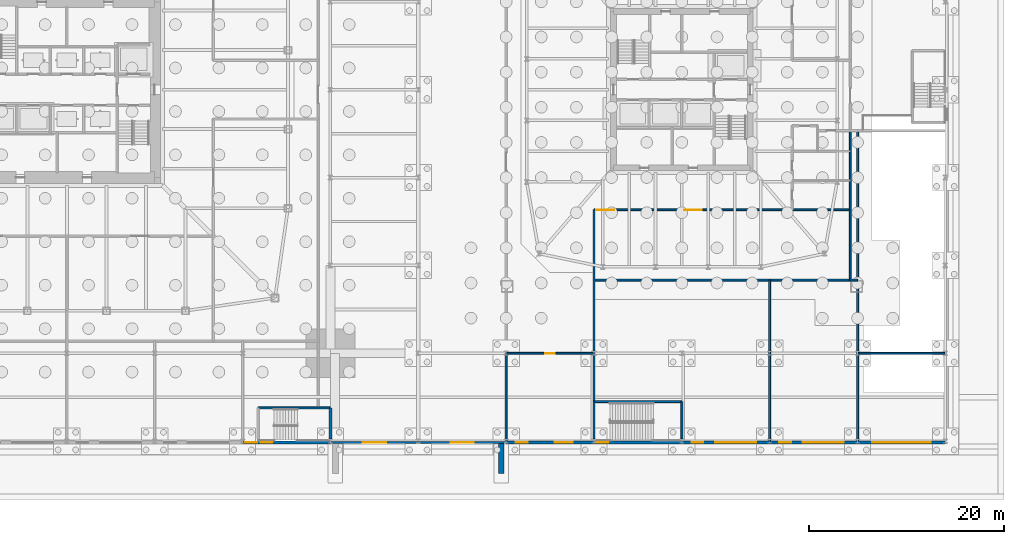
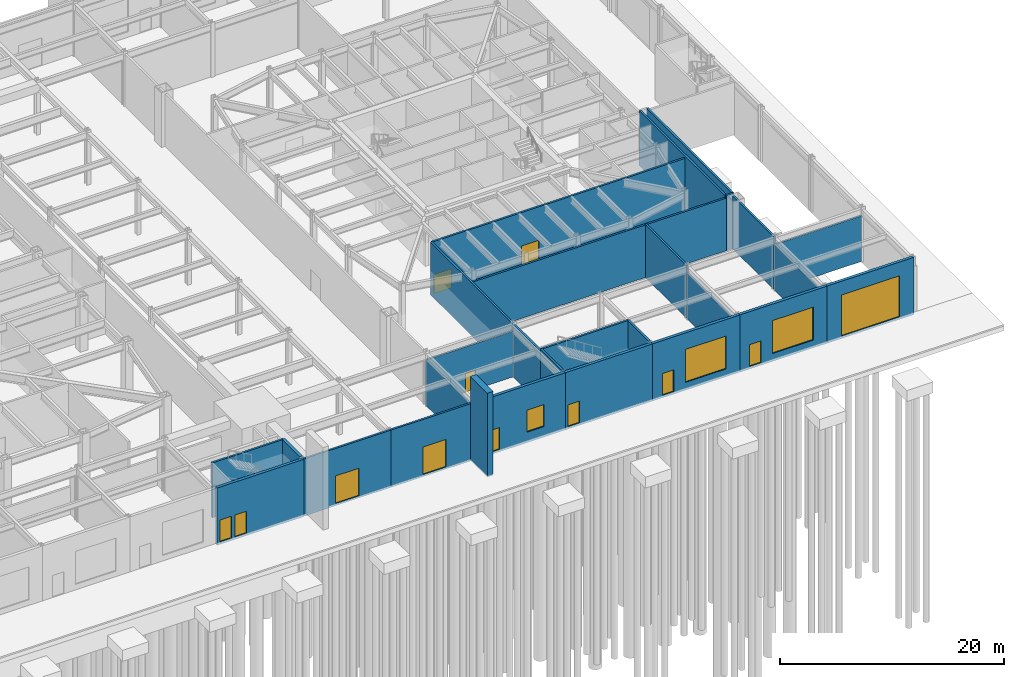
# One storey, part 16 of 37: 27 walls, 12 doors, 3 windows, 15 openings.
"""IFC4 building model written with IfcOpenShell, lengths in metres."""

from ifc_helpers import new_model, si_unit, direction, frame, frame_2d, origin, place, context, subcontext, project, spatial, rectangle, extrude, material, layer, layer_set, type_object, element, fill, save


model = new_model("IFC4")

# Units and contexts
model_context = context("Model", 3, precision=1e-05, world=origin(), true_north=direction((0.0, 1.0)))
body_context = subcontext(model_context, "Body", "Model", "MODEL_VIEW")
ifc_project = project(units=[si_unit("LENGTHUNIT", "METRE"), si_unit("AREAUNIT", "SQUARE_METRE"), si_unit("VOLUMEUNIT", "CUBIC_METRE"), si_unit("PLANEANGLEUNIT", "RADIAN"), si_unit("MASSUNIT", "GRAM", prefix="KILO")], contexts=[model_context])

# Site, building, storey
site_placement = place(None, origin())
site = spatial("IfcSite", under=ifc_project, at=site_placement, CompositionType="ELEMENT")
building_placement = place(site_placement, origin())
building = spatial("IfcBuilding", under=site, at=building_placement, Name="Iwan Alto Co-Living Towers", CompositionType="ELEMENT")
storey_placement = place(building_placement, origin())
storey = spatial("IfcBuildingStorey", under=building, at=storey_placement, Name="L00", CompositionType="ELEMENT", Elevation=0.0)

# Wall, opening, door
ifc_material_1 = material(Name="Bronze aluminium framed glazed screen", Category="aluminium")
ifc_layer_1 = layer(ifc_material_1, 0.199951171875)
ifc_layer_set_1 = layer_set([ifc_layer_1], Name="ENTRANCE SCREEN WALL 200")
wall_type_1 = type_object("IfcWallType", Name="ENTRANCE SCREEN WALL 200", PredefinedType="SOLIDWALL", material=ifc_layer_set_1)
wall_1_placement = place(storey_placement, frame((27.0, -36.14990234375, -0.25), z_axis=(0.0, 0.0, 1.0), x_axis=(1.0, 0.0, 0.0)))
wall_1 = element("IfcWall", 1, at=wall_1_placement, inside=storey, type_object=wall_type_1, Name="Concourse entrance screen S", PredefinedType="SOLIDWALL", context=body_context, shape_type="SweptSolid", body=[
    extrude(rectangle(XDim=9.0, YDim=0.199951171875, at=frame_2d((4.5, 0.0))), origin(), (0.0, 0.0, 1.0), 6.25),
])
opening_1_placement = place(wall_1_placement, frame((3.300048828125, 0.0, 0.25)))
opening_1 = element("IfcOpeningElement", 2, at=opening_1_placement, cuts=wall_1, Name="Opening DE2", PredefinedType="OPENING", context=body_context, shape_type="SweptSolid", body=[
    extrude(rectangle(XDim=2.39990234375, YDim=3.0, at=frame_2d((1.199951171875, 1.5))), frame((0.0, 0.10986328125, 0.0), z_axis=(0.0, -1.0, 0.0), x_axis=(1.0, 0.0, 0.0)), (0.0, 0.0, 1.0), 0.219970703125),
])
ifc_material_2 = material(Name="Bronze aluminium glazed door", Category="aluminium")
door_type_1 = type_object("IfcDoorType", Name="ENTRANCE DOOR 2400X3000", OperationType="DOUBLE_DOOR_SINGLE_SWING", PredefinedType="DOOR", material=ifc_material_2)
door_1_placement = place(opening_1_placement, frame((2.39990234375, 0.0, 0.0), z_axis=(0.0, 0.0, 1.0), x_axis=(-1.0, 0.0, 0.0)))
door_1 = element("IfcDoor", 3, at=door_1_placement, inside=storey, type_object=door_type_1, Name="Concourse entrance S", OperationType="DOUBLE_DOOR_SINGLE_SWING", OverallHeight=3.0, OverallWidth=2.39990234375, PredefinedType="DOOR", context=body_context, shape_type="SweptSolid", body=[
    extrude(rectangle(XDim=2.39990234375, YDim=3.0, at=frame_2d((1.199951171875, 1.5))), frame((0.0, 0.02490234375, 0.0), z_axis=(0.0, -1.0, 0.0), x_axis=(1.0, 0.0, 0.0)), (0.0, 0.0, 1.0), 0.050048828125),
])
fill(opening_1, door_1)

wall_2_placement = place(storey_placement, frame((36.0, -36.14990234375, -0.25), z_axis=(0.0, 0.0, 1.0), x_axis=(1.0, 0.0, 0.0)))
wall_2 = element("IfcWall", 4, at=wall_2_placement, inside=storey, type_object=wall_type_1, Name="Concourse entrance screen S", PredefinedType="SOLIDWALL", context=body_context, shape_type="SweptSolid", body=[
    extrude(rectangle(XDim=9.0, YDim=0.199951171875, at=frame_2d((4.5, 0.0))), origin(), (0.0, 0.0, 1.0), 6.25),
])
opening_2_placement = place(wall_2_placement, frame((3.300048828125, 0.0, 0.25)))
opening_2 = element("IfcOpeningElement", 5, at=opening_2_placement, cuts=wall_2, Name="Opening DE2", PredefinedType="OPENING", context=body_context, shape_type="SweptSolid", body=[
    extrude(rectangle(XDim=2.39990234375, YDim=3.0, at=frame_2d((1.199951171875, 1.5))), frame((0.0, 0.10986328125, 0.0), z_axis=(0.0, -1.0, 0.0), x_axis=(1.0, 0.0, 0.0)), (0.0, 0.0, 1.0), 0.219970703125),
])
door_2_placement = place(opening_2_placement, frame((2.39990234375, 0.0, 0.0), z_axis=(0.0, 0.0, 1.0), x_axis=(-1.0, 0.0, 0.0)))
door_2 = element("IfcDoor", 6, at=door_2_placement, inside=storey, type_object=door_type_1, Name="Concourse entrance S", OperationType="DOUBLE_DOOR_SINGLE_SWING", OverallHeight=3.0, OverallWidth=2.39990234375, PredefinedType="DOOR", context=body_context, shape_type="SweptSolid", body=[
    extrude(rectangle(XDim=2.39990234375, YDim=3.0, at=frame_2d((1.199951171875, 1.5))), frame((0.0, 0.02490234375, 0.0), z_axis=(0.0, -1.0, 0.0), x_axis=(1.0, 0.0, 0.0)), (0.0, 0.0, 1.0), 0.050048828125),
])
fill(opening_2, door_2)

# Wall
ifc_material_3 = material(Name="Fired clay brick facing", Category="masonry")
ifc_layer_2 = layer(ifc_material_3, 0.114990234375, Name="Brick facing", Category="Finish")
ifc_material_4 = material(Name="Concrete f'c 35 MPa", Category="concrete")
ifc_layer_3 = layer(ifc_material_4, 0.485107421875, Name="Reinforced concrete", Category="LoadBearing")
ifc_layer_set_2 = layer_set([ifc_layer_2, ifc_layer_3], Name="IWAN PORTAL WALL 600")
wall_type_2 = type_object("IfcWallType", Name="IWAN PORTAL WALL 600", PredefinedType="SOLIDWALL", material=ifc_layer_set_2)
wall_3_placement = place(storey_placement, frame((44.494384765625, -36.25, -0.14990234375), z_axis=(0.0, 0.0, 1.0), x_axis=(0.0, -1.0, 0.0)))
element("IfcWall", 7, at=wall_3_placement, inside=storey, type_object=wall_type_2, Name="Iwan portal pier S 2", PredefinedType="SOLIDWALL", context=body_context, shape_type="SweptSolid", body=[
    extrude(rectangle(XDim=3.050048828125, YDim=0.60009765625, at=frame_2d((1.52490234375, 0.0))), origin(), (0.0, 0.0, 1.0), 9.14990234375),
])

# Wall, openings, doors
ifc_layer_4 = layer(ifc_material_3, 0.10009765625, Name="Brick facing", Category="Finish")
ifc_material_5 = material(Name="Concrete f'c 70 MPa", Category="concrete")
ifc_layer_5 = layer(ifc_material_5, 0.199951171875, Name="Reinforced concrete", Category="LoadBearing")
ifc_layer_set_3 = layer_set([ifc_layer_4, ifc_layer_5], Name="PODIUM BRICK WALL 300")
wall_type_3 = type_object("IfcWallType", Name="PODIUM BRICK WALL 300", PredefinedType="SOLIDWALL", material=ifc_layer_set_3)
wall_4_placement = place(storey_placement, frame((18.0, -36.14990234375, -0.25), z_axis=(0.0, 0.0, 1.0), x_axis=(1.0, 0.0, 0.0)))
wall_4 = element("IfcWall", 8, at=wall_4_placement, inside=storey, type_object=wall_type_3, Name="Podium wall S L00", PredefinedType="SOLIDWALL", context=body_context, shape_type="SweptSolid", body=[
    extrude(rectangle(XDim=9.0, YDim=0.300048828125, at=frame_2d((4.5, 0.0))), origin(), (0.0, 0.0, 1.0), 6.25),
])
opening_3_placement = place(wall_4_placement, frame((0.300048828125, 0.0, 0.25)))
opening_3 = element("IfcOpeningElement", 9, at=opening_3_placement, cuts=wall_4, Name="Opening DE1", PredefinedType="OPENING", context=body_context, shape_type="SweptSolid", body=[
    extrude(rectangle(XDim=1.199951171875, YDim=2.39990234375, at=frame_2d((0.60009765625, 1.199951171875))), frame((0.0, 0.159912109375, 0.0), z_axis=(0.0, -1.0, 0.0), x_axis=(1.0, 0.0, 0.0)), (0.0, 0.0, 1.0), 0.320068359375),
])
opening_4_placement = place(wall_4_placement, frame((1.85009765625, 0.0, 0.25)))
opening_4 = element("IfcOpeningElement", 10, at=opening_4_placement, cuts=wall_4, Name="Opening DE3", PredefinedType="OPENING", context=body_context, shape_type="SweptSolid", body=[
    extrude(rectangle(XDim=1.199951171875, YDim=2.39990234375, at=frame_2d((0.60009765625, 1.199951171875))), frame((0.0, 0.159912109375, 0.0), z_axis=(0.0, -1.0, 0.0), x_axis=(1.0, 0.0, 0.0)), (0.0, 0.0, 1.0), 0.320068359375),
])
ifc_material_6 = material(Name="Steel door", Category="steel")
door_type_2 = type_object("IfcDoorType", Name="EXIT DOOR FD60 1200X2400", OperationType="SINGLE_SWING_LEFT", PredefinedType="DOOR", material=ifc_material_6)
door_3_placement = place(opening_4_placement, frame((1.199951171875, 0.0, 0.0), z_axis=(0.0, 0.0, 1.0), x_axis=(-1.0, 0.0, 0.0)))
door_3 = element("IfcDoor", 11, at=door_3_placement, inside=storey, type_object=door_type_2, Name="Stair PS4 exit door", OperationType="SINGLE_SWING_RIGHT", OverallHeight=2.39990234375, OverallWidth=1.199951171875, PredefinedType="DOOR", context=body_context, shape_type="SweptSolid", body=[
    extrude(rectangle(XDim=1.199951171875, YDim=2.39990234375, at=frame_2d((0.60009765625, 1.199951171875))), frame((0.0, 0.02490234375, 0.0), z_axis=(0.0, -1.0, 0.0), x_axis=(1.0, 0.0, 0.0)), (0.0, 0.0, 1.0), 0.050048828125),
])
fill(opening_4, door_3)
ifc_material_7 = material(Name="Bronze aluminium glazed door", Category="aluminium")
door_type_3 = type_object("IfcDoorType", Name="SHOP DOOR 1200X2400", OperationType="SINGLE_SWING_LEFT", PredefinedType="DOOR", material=ifc_material_7)
door_4_placement = place(opening_3_placement, frame((1.199951171875, 0.0, 0.0), z_axis=(0.0, 0.0, 1.0), x_axis=(-1.0, 0.0, 0.0)))
door_4 = element("IfcDoor", 12, at=door_4_placement, inside=storey, type_object=door_type_3, Name="Shop door", OperationType="SINGLE_SWING_RIGHT", OverallHeight=2.39990234375, OverallWidth=1.199951171875, PredefinedType="DOOR", context=body_context, shape_type="SweptSolid", body=[
    extrude(rectangle(XDim=1.199951171875, YDim=2.39990234375, at=frame_2d((0.60009765625, 1.199951171875))), frame((0.0, 0.02490234375, 0.0), z_axis=(0.0, -1.0, 0.0), x_axis=(1.0, 0.0, 0.0)), (0.0, 0.0, 1.0), 0.050048828125),
])
fill(opening_3, door_4)

# Wall, openings, door, window
wall_5_placement = place(storey_placement, frame((45.0, -36.14990234375, -0.25), z_axis=(0.0, 0.0, 1.0), x_axis=(1.0, 0.0, 0.0)))
wall_5 = element("IfcWall", 13, at=wall_5_placement, inside=storey, type_object=wall_type_3, Name="Podium wall S L00", PredefinedType="SOLIDWALL", context=body_context, shape_type="SweptSolid", body=[
    extrude(rectangle(XDim=9.0, YDim=0.300048828125, at=frame_2d((4.5, 0.0))), origin(), (0.0, 0.0, 1.0), 6.25),
])
opening_5_placement = place(wall_5_placement, frame((1.0, 0.0, 0.25)))
opening_5 = element("IfcOpeningElement", 14, at=opening_5_placement, cuts=wall_5, Name="Opening DE3", PredefinedType="OPENING", context=body_context, shape_type="SweptSolid", body=[
    extrude(rectangle(XDim=1.199951171875, YDim=2.39990234375, at=frame_2d((0.60009765625, 1.199951171875))), frame((0.0, 0.159912109375, 0.0), z_axis=(0.0, -1.0, 0.0), x_axis=(1.0, 0.0, 0.0)), (0.0, 0.0, 1.0), 0.320068359375),
])
opening_6_placement = place(wall_5_placement, frame((5.0, 0.0, 1.14990234375)))
opening_6 = element("IfcOpeningElement", 15, at=opening_6_placement, cuts=wall_5, Name="Opening WN1", PredefinedType="OPENING", context=body_context, shape_type="SweptSolid", body=[
    extrude(rectangle(XDim=1.800048828125, YDim=2.39990234375, at=frame_2d((0.89990234375, 1.199951171875))), frame((0.0, 0.159912109375, 0.0), z_axis=(0.0, -1.0, 0.0), x_axis=(1.0, 0.0, 0.0)), (0.0, 0.0, 1.0), 0.320068359375),
])
door_5_placement = place(opening_5_placement, frame((1.199951171875, 0.0, 0.0), z_axis=(0.0, 0.0, 1.0), x_axis=(-1.0, 0.0, 0.0)))
door_5 = element("IfcDoor", 16, at=door_5_placement, inside=storey, type_object=door_type_2, Name="Fire command centre door", OperationType="SINGLE_SWING_RIGHT", OverallHeight=2.39990234375, OverallWidth=1.199951171875, PredefinedType="DOOR", context=body_context, shape_type="SweptSolid", body=[
    extrude(rectangle(XDim=1.199951171875, YDim=2.39990234375, at=frame_2d((0.60009765625, 1.199951171875))), frame((0.0, 0.02490234375, 0.0), z_axis=(0.0, -1.0, 0.0), x_axis=(1.0, 0.0, 0.0)), (0.0, 0.0, 1.0), 0.050048828125),
])
fill(opening_5, door_5)
ifc_material_8 = material(Name="Bronze aluminium window frame", Category="aluminium")
window_type_1 = type_object("IfcWindowType", Name="WN1 PODIUM WINDOW 1800X2400", PartitioningType="SINGLE_PANEL", PredefinedType="WINDOW", material=ifc_material_8)
window_1_placement = place(opening_6_placement, origin())
window_1 = element("IfcWindow", 17, at=window_1_placement, inside=storey, type_object=window_type_1, Name="Podium window", OverallHeight=2.39990234375, OverallWidth=1.800048828125, PartitioningType="SINGLE_PANEL", PredefinedType="WINDOW", context=body_context, shape_type="SweptSolid", body=[
    extrude(rectangle(XDim=1.800048828125, YDim=2.39990234375, at=frame_2d((0.89990234375, 1.199951171875))), frame((0.0, 0.030029296875, 0.0), z_axis=(0.0, -1.0, 0.0), x_axis=(1.0, 0.0, 0.0)), (0.0, 0.0, 1.0), 0.06005859375),
])
fill(opening_6, window_1)

# Wall, opening, door
wall_6_placement = place(storey_placement, frame((54.0, -36.14990234375, -0.25), z_axis=(0.0, 0.0, 1.0), x_axis=(1.0, 0.0, 0.0)))
wall_6 = element("IfcWall", 18, at=wall_6_placement, inside=storey, type_object=wall_type_3, Name="Podium wall S L00", PredefinedType="SOLIDWALL", context=body_context, shape_type="SweptSolid", body=[
    extrude(rectangle(XDim=9.0, YDim=0.300048828125, at=frame_2d((4.5, 0.0))), origin(), (0.0, 0.0, 1.0), 6.25),
])
opening_7_placement = place(wall_6_placement, frame((0.25, 0.0, 0.25)))
opening_7 = element("IfcOpeningElement", 19, at=opening_7_placement, cuts=wall_6, Name="Opening DE3", PredefinedType="OPENING", context=body_context, shape_type="SweptSolid", body=[
    extrude(rectangle(XDim=1.199951171875, YDim=2.39990234375, at=frame_2d((0.60009765625, 1.199951171875))), frame((0.0, 0.159912109375, 0.0), z_axis=(0.0, -1.0, 0.0), x_axis=(1.0, 0.0, 0.0)), (0.0, 0.0, 1.0), 0.320068359375),
])
door_6_placement = place(opening_7_placement, frame((1.199951171875, 0.0, 0.0), z_axis=(0.0, 0.0, 1.0), x_axis=(-1.0, 0.0, 0.0)))
door_6 = element("IfcDoor", 20, at=door_6_placement, inside=storey, type_object=door_type_2, Name="Stair PS6 exit door", OperationType="SINGLE_SWING_RIGHT", OverallHeight=2.39990234375, OverallWidth=1.199951171875, PredefinedType="DOOR", context=body_context, shape_type="SweptSolid", body=[
    extrude(rectangle(XDim=1.199951171875, YDim=2.39990234375, at=frame_2d((0.60009765625, 1.199951171875))), frame((0.0, 0.02490234375, 0.0), z_axis=(0.0, -1.0, 0.0), x_axis=(1.0, 0.0, 0.0)), (0.0, 0.0, 1.0), 0.050048828125),
])
fill(opening_7, door_6)

# Wall, openings, door, window
wall_7_placement = place(storey_placement, frame((63.0, -36.14990234375, -0.25), z_axis=(0.0, 0.0, 1.0), x_axis=(1.0, 0.0, 0.0)))
wall_7 = element("IfcWall", 21, at=wall_7_placement, inside=storey, type_object=wall_type_3, Name="Podium wall S L00", PredefinedType="SOLIDWALL", context=body_context, shape_type="SweptSolid", body=[
    extrude(rectangle(XDim=9.0, YDim=0.300048828125, at=frame_2d((4.5, 0.0))), origin(), (0.0, 0.0, 1.0), 6.25),
])
opening_8_placement = place(wall_7_placement, frame((1.0, 0.0, 0.25)))
opening_8 = element("IfcOpeningElement", 22, at=opening_8_placement, cuts=wall_7, Name="Opening DE1", PredefinedType="OPENING", context=body_context, shape_type="SweptSolid", body=[
    extrude(rectangle(XDim=1.199951171875, YDim=2.39990234375, at=frame_2d((0.60009765625, 1.199951171875))), frame((0.0, 0.159912109375, 0.0), z_axis=(0.0, -1.0, 0.0), x_axis=(1.0, 0.0, 0.0)), (0.0, 0.0, 1.0), 0.320068359375),
])
opening_9_placement = place(wall_7_placement, frame((3.39990234375, 0.0, 0.85009765625)))
opening_9 = element("IfcOpeningElement", 23, at=opening_9_placement, cuts=wall_7, Name="Opening WN2", PredefinedType="OPENING", context=body_context, shape_type="SweptSolid", body=[
    extrude(rectangle(XDim=4.199951171875, YDim=3.60009765625, at=frame_2d((2.10009765625, 1.800048828125))), frame((0.0, 0.159912109375, 0.0), z_axis=(0.0, -1.0, 0.0), x_axis=(1.0, 0.0, 0.0)), (0.0, 0.0, 1.0), 0.320068359375),
])
door_7_placement = place(opening_8_placement, frame((1.199951171875, 0.0, 0.0), z_axis=(0.0, 0.0, 1.0), x_axis=(-1.0, 0.0, 0.0)))
door_7 = element("IfcDoor", 24, at=door_7_placement, inside=storey, type_object=door_type_3, Name="Shop door", OperationType="SINGLE_SWING_RIGHT", OverallHeight=2.39990234375, OverallWidth=1.199951171875, PredefinedType="DOOR", context=body_context, shape_type="SweptSolid", body=[
    extrude(rectangle(XDim=1.199951171875, YDim=2.39990234375, at=frame_2d((0.60009765625, 1.199951171875))), frame((0.0, 0.02490234375, 0.0), z_axis=(0.0, -1.0, 0.0), x_axis=(1.0, 0.0, 0.0)), (0.0, 0.0, 1.0), 0.050048828125),
])
fill(opening_8, door_7)
ifc_material_9 = material(Name="Bronze aluminium shopfront frame", Category="aluminium")
window_type_2 = type_object("IfcWindowType", Name="WN2 SHOPFRONT 4200X3600", PartitioningType="SINGLE_PANEL", PredefinedType="WINDOW", material=ifc_material_9)
window_2_placement = place(opening_9_placement, origin())
window_2 = element("IfcWindow", 25, at=window_2_placement, inside=storey, type_object=window_type_2, Name="Shopfront", OverallHeight=3.60009765625, OverallWidth=4.199951171875, PartitioningType="SINGLE_PANEL", PredefinedType="WINDOW", context=body_context, shape_type="SweptSolid", body=[
    extrude(rectangle(XDim=4.199951171875, YDim=3.60009765625, at=frame_2d((2.10009765625, 1.800048828125))), frame((0.0, 0.030029296875, 0.0), z_axis=(0.0, -1.0, 0.0), x_axis=(1.0, 0.0, 0.0)), (0.0, 0.0, 1.0), 0.06005859375),
])
fill(opening_9, window_2)

wall_8_placement = place(storey_placement, frame((72.0, -36.14990234375, -0.25), z_axis=(0.0, 0.0, 1.0), x_axis=(1.0, 0.0, 0.0)))
wall_8 = element("IfcWall", 26, at=wall_8_placement, inside=storey, type_object=wall_type_3, Name="Podium wall S L00", PredefinedType="SOLIDWALL", context=body_context, shape_type="SweptSolid", body=[
    extrude(rectangle(XDim=9.0, YDim=0.300048828125, at=frame_2d((4.5, 0.0))), origin(), (0.0, 0.0, 1.0), 6.25),
])
opening_10_placement = place(wall_8_placement, frame((1.0, 0.0, 0.25)))
opening_10 = element("IfcOpeningElement", 27, at=opening_10_placement, cuts=wall_8, Name="Opening DE1", PredefinedType="OPENING", context=body_context, shape_type="SweptSolid", body=[
    extrude(rectangle(XDim=1.199951171875, YDim=2.39990234375, at=frame_2d((0.60009765625, 1.199951171875))), frame((0.0, 0.159912109375, 0.0), z_axis=(0.0, -1.0, 0.0), x_axis=(1.0, 0.0, 0.0)), (0.0, 0.0, 1.0), 0.320068359375),
])
opening_11_placement = place(wall_8_placement, frame((3.39990234375, 0.0, 0.85009765625)))
opening_11 = element("IfcOpeningElement", 28, at=opening_11_placement, cuts=wall_8, Name="Opening WN2", PredefinedType="OPENING", context=body_context, shape_type="SweptSolid", body=[
    extrude(rectangle(XDim=4.199951171875, YDim=3.60009765625, at=frame_2d((2.10009765625, 1.800048828125))), frame((0.0, 0.159912109375, 0.0), z_axis=(0.0, -1.0, 0.0), x_axis=(1.0, 0.0, 0.0)), (0.0, 0.0, 1.0), 0.320068359375),
])
door_8_placement = place(opening_10_placement, frame((1.199951171875, 0.0, 0.0), z_axis=(0.0, 0.0, 1.0), x_axis=(-1.0, 0.0, 0.0)))
door_8 = element("IfcDoor", 29, at=door_8_placement, inside=storey, type_object=door_type_3, Name="Shop door", OperationType="SINGLE_SWING_RIGHT", OverallHeight=2.39990234375, OverallWidth=1.199951171875, PredefinedType="DOOR", context=body_context, shape_type="SweptSolid", body=[
    extrude(rectangle(XDim=1.199951171875, YDim=2.39990234375, at=frame_2d((0.60009765625, 1.199951171875))), frame((0.0, 0.02490234375, 0.0), z_axis=(0.0, -1.0, 0.0), x_axis=(1.0, 0.0, 0.0)), (0.0, 0.0, 1.0), 0.050048828125),
])
fill(opening_10, door_8)
window_3_placement = place(opening_11_placement, origin())
window_3 = element("IfcWindow", 30, at=window_3_placement, inside=storey, type_object=window_type_2, Name="Shopfront", OverallHeight=3.60009765625, OverallWidth=4.199951171875, PartitioningType="SINGLE_PANEL", PredefinedType="WINDOW", context=body_context, shape_type="SweptSolid", body=[
    extrude(rectangle(XDim=4.199951171875, YDim=3.60009765625, at=frame_2d((2.10009765625, 1.800048828125))), frame((0.0, 0.030029296875, 0.0), z_axis=(0.0, -1.0, 0.0), x_axis=(1.0, 0.0, 0.0)), (0.0, 0.0, 1.0), 0.06005859375),
])
fill(opening_11, window_3)

# Wall, opening, door
wall_9_placement = place(storey_placement, frame((81.0, -36.14990234375, -0.25), z_axis=(0.0, 0.0, 1.0), x_axis=(1.0, 0.0, 0.0)))
wall_9 = element("IfcWall", 31, at=wall_9_placement, inside=storey, type_object=wall_type_3, Name="Podium wall S L00", PredefinedType="SOLIDWALL", context=body_context, shape_type="SweptSolid", body=[
    extrude(rectangle(XDim=9.0, YDim=0.300048828125, at=frame_2d((4.5, 0.0))), origin(), (0.0, 0.0, 1.0), 6.25),
])
opening_12_placement = place(wall_9_placement, frame((1.5, 0.0, 0.25)))
opening_12 = element("IfcOpeningElement", 32, at=opening_12_placement, cuts=wall_9, Name="Opening DE4", PredefinedType="OPENING", context=body_context, shape_type="SweptSolid", body=[
    extrude(rectangle(XDim=6.0, YDim=4.5, at=frame_2d((3.0, 2.25))), frame((0.0, 0.159912109375, 0.0), z_axis=(0.0, -1.0, 0.0), x_axis=(1.0, 0.0, 0.0)), (0.0, 0.0, 1.0), 0.320068359375),
])
ifc_material_10 = material(Name="Steel roller shutter", Category="steel")
door_type_4 = type_object("IfcDoorType", Name="ROLLER SHUTTER 6000X4500", OperationType="USERDEFINED", PredefinedType="GATE", material=ifc_material_10)
door_9_placement = place(opening_12_placement, origin())
door_9 = element("IfcDoor", 33, at=door_9_placement, inside=storey, type_object=door_type_4, Name="Car park entrance shutter", OperationType="USERDEFINED", OverallHeight=4.5, OverallWidth=6.0, PredefinedType="GATE", context=body_context, shape_type="SweptSolid", body=[
    extrude(rectangle(XDim=6.0, YDim=4.5, at=frame_2d((3.0, 2.25))), frame((0.0, 0.02490234375, 0.0), z_axis=(0.0, -1.0, 0.0), x_axis=(1.0, 0.0, 0.0)), (0.0, 0.0, 1.0), 0.050048828125),
])
fill(opening_12, door_9)

ifc_material_11 = material(Name="Concrete block masonry f*p 10 MPa", Category="masonry")
ifc_layer_6 = layer(ifc_material_11, 0.199951171875)
ifc_layer_set_4 = layer_set([ifc_layer_6], Name="PODIUM INTERNAL WALL 200")
wall_type_4 = type_object("IfcWallType", Name="PODIUM INTERNAL WALL 200", PredefinedType="SOLIDWALL", material=ifc_layer_set_4)
wall_10_placement = place(storey_placement, frame((45.0, -27.0, 0.0), z_axis=(0.0, 0.0, 1.0), x_axis=(1.0, 0.0, 0.0)))
wall_10 = element("IfcWall", 34, at=wall_10_placement, inside=storey, type_object=wall_type_4, Name="Partition L00", PredefinedType="SOLIDWALL", context=body_context, shape_type="SweptSolid", body=[
    extrude(rectangle(XDim=9.0, YDim=0.199951171875, at=frame_2d((4.5, 0.0))), origin(), (0.0, 0.0, 1.0), 4.98046875),
])
opening_13_placement = place(wall_10_placement, frame((4.0, 0.0, 0.0)))
opening_13 = element("IfcOpeningElement", 35, at=opening_13_placement, cuts=wall_10, Name="Opening D12", PredefinedType="OPENING", context=body_context, shape_type="SweptSolid", body=[
    extrude(rectangle(XDim=1.0, YDim=2.10009765625, at=frame_2d((0.5, 1.050048828125))), frame((0.0, 0.10986328125, 0.0), z_axis=(0.0, -1.0, 0.0), x_axis=(1.0, 0.0, 0.0)), (0.0, 0.0, 1.0), 0.219970703125),
])
ifc_material_12 = material(Name="Steel frame with timber leaf", Category="steel")
door_type_5 = type_object("IfcDoorType", Name="FIRE COMMAND CENTRE DOOR FD60 1000X2100", OperationType="SINGLE_SWING_LEFT", PredefinedType="DOOR", material=ifc_material_12)
door_10_placement = place(opening_13_placement, frame((1.0, 0.0, 0.0), z_axis=(0.0, 0.0, 1.0), x_axis=(-1.0, 0.0, 0.0)))
door_10 = element("IfcDoor", 36, at=door_10_placement, inside=storey, type_object=door_type_5, Name="Fire command centre door L00", OperationType="SINGLE_SWING_RIGHT", OverallHeight=2.10009765625, OverallWidth=1.0, PredefinedType="DOOR", context=body_context, shape_type="SweptSolid", body=[
    extrude(rectangle(XDim=1.0, YDim=2.10009765625, at=frame_2d((0.5, 1.050048828125))), frame((0.0, 0.02490234375, 0.0), z_axis=(0.0, -1.0, 0.0), x_axis=(1.0, 0.0, 0.0)), (0.0, 0.0, 1.0), 0.050048828125),
])
fill(opening_13, door_10)

# Walls
wall_11_placement = place(storey_placement, frame((81.0, -27.0, 0.0), z_axis=(0.0, 0.0, 1.0), x_axis=(1.0, 0.0, 0.0)))
element("IfcWall", 37, at=wall_11_placement, inside=storey, type_object=wall_type_4, Name="Partition L00", PredefinedType="SOLIDWALL", context=body_context, shape_type="SweptSolid", body=[
    extrude(rectangle(XDim=8.93994140625, YDim=0.199951171875, at=frame_2d((4.469970703125, 0.0))), origin(), (0.0, 0.0, 1.0), 4.98046875),
])
wall_12_placement = place(storey_placement, frame((54.0, -19.5, 0.0), z_axis=(0.0, 0.0, 1.0), x_axis=(1.0, 0.0, 0.0)))
element("IfcWall", 38, at=wall_12_placement, inside=storey, type_object=wall_type_4, Name="Partition L00", PredefinedType="SOLIDWALL", context=body_context, shape_type="SweptSolid", body=[
    extrude(rectangle(XDim=26.25, YDim=0.199951171875, at=frame_2d((13.125, 0.0))), origin(), (0.0, 0.0, 1.0), 5.75),
])

# Wall, openings, doors
wall_13_placement = place(storey_placement, frame((54.0, -12.300048828125, 0.0), z_axis=(0.0, 0.0, 1.0), x_axis=(1.0, 0.0, 0.0)))
wall_13 = element("IfcWall", 39, at=wall_13_placement, inside=storey, type_object=wall_type_4, Name="Partition L00", PredefinedType="SOLIDWALL", context=body_context, shape_type="SweptSolid", body=[
    extrude(rectangle(XDim=26.25, YDim=0.199951171875, at=frame_2d((13.125, 0.0))), origin(), (0.0, 0.0, 1.0), 5.75),
])
opening_14_placement = place(wall_13_placement, frame((9.25, 0.0, 0.0)))
opening_14 = element("IfcOpeningElement", 40, at=opening_14_placement, cuts=wall_13, Name="Opening D9", PredefinedType="OPENING", context=body_context, shape_type="SweptSolid", body=[
    extrude(rectangle(XDim=1.800048828125, YDim=2.10009765625, at=frame_2d((0.89990234375, 1.050048828125))), frame((0.0, 0.10986328125, 0.0), z_axis=(0.0, -1.0, 0.0), x_axis=(1.0, 0.0, 0.0)), (0.0, 0.0, 1.0), 0.219970703125),
])
opening_15_placement = place(wall_13_placement, frame((0.25, 0.0, 0.0)))
opening_15 = element("IfcOpeningElement", 41, at=opening_15_placement, cuts=wall_13, Name="Opening D9", PredefinedType="OPENING", context=body_context, shape_type="SweptSolid", body=[
    extrude(rectangle(XDim=1.800048828125, YDim=2.10009765625, at=frame_2d((0.89990234375, 1.050048828125))), frame((0.0, 0.10986328125, 0.0), z_axis=(0.0, -1.0, 0.0), x_axis=(1.0, 0.0, 0.0)), (0.0, 0.0, 1.0), 0.219970703125),
])
ifc_material_13 = material(Name="Steel frame with timber leaf", Category="steel")
door_type_6 = type_object("IfcDoorType", Name="LOUNGE DOOR FD30S 1800X2100", OperationType="DOUBLE_DOOR_SINGLE_SWING", PredefinedType="DOOR", material=ifc_material_13)
door_11_placement = place(opening_14_placement, frame((1.800048828125, 0.0, 0.0), z_axis=(0.0, 0.0, 1.0), x_axis=(-1.0, 0.0, 0.0)))
door_11 = element("IfcDoor", 42, at=door_11_placement, inside=storey, type_object=door_type_6, Name="Function hall door L00", OperationType="DOUBLE_DOOR_SINGLE_SWING", OverallHeight=2.10009765625, OverallWidth=1.800048828125, PredefinedType="DOOR", context=body_context, shape_type="SweptSolid", body=[
    extrude(rectangle(XDim=1.800048828125, YDim=2.10009765625, at=frame_2d((0.89990234375, 1.050048828125))), frame((0.0, 0.02490234375, 0.0), z_axis=(0.0, -1.0, 0.0), x_axis=(1.0, 0.0, 0.0)), (0.0, 0.0, 1.0), 0.050048828125),
])
fill(opening_14, door_11)
door_12_placement = place(opening_15_placement, frame((1.800048828125, 0.0, 0.0), z_axis=(0.0, 0.0, 1.0), x_axis=(-1.0, 0.0, 0.0)))
door_12 = element("IfcDoor", 43, at=door_12_placement, inside=storey, type_object=door_type_6, Name="Function hall door L00", OperationType="DOUBLE_DOOR_SINGLE_SWING", OverallHeight=2.10009765625, OverallWidth=1.800048828125, PredefinedType="DOOR", context=body_context, shape_type="SweptSolid", body=[
    extrude(rectangle(XDim=1.800048828125, YDim=2.10009765625, at=frame_2d((0.89990234375, 1.050048828125))), frame((0.0, 0.02490234375, 0.0), z_axis=(0.0, -1.0, 0.0), x_axis=(1.0, 0.0, 0.0)), (0.0, 0.0, 1.0), 0.050048828125),
])
fill(opening_15, door_12)

# Walls
for number, where, z_axis, x_axis, name in (
    (44, (81.0, -35.93994140625, 0.0), (0.0, 0.0, 1.0), (0.0, 1.0, 0.0), "Partition L00"),
    (45, (72.0, -35.93994140625, 0.0), (0.0, 0.0, 1.0), (0.0, 1.0, 0.0), "Partition L00"),
):
    element("IfcWall", number, at=place(storey_placement, frame(where, z_axis=z_axis, x_axis=x_axis)), inside=storey, type_object=wall_type_4, Name=name, PredefinedType="SOLIDWALL", context=body_context, shape_type="SweptSolid", body=[
        extrude(rectangle(XDim=8.93994140625, YDim=0.199951171875, at=frame_2d((4.469970703125, 0.0))), origin(), (0.0, 0.0, 1.0), 4.98046875),
    ])
wall_14_placement = place(storey_placement, frame((54.0, -31.9599609375, 0.0), z_axis=(0.0, 0.0, 1.0), x_axis=(0.0, 1.0, 0.0)))
element("IfcWall", 46, at=wall_14_placement, inside=storey, type_object=wall_type_4, Name="Partition L00", PredefinedType="SOLIDWALL", context=body_context, shape_type="SweptSolid", body=[
    extrude(rectangle(XDim=19.659912109375, YDim=0.199951171875, at=frame_2d((9.830078125, 0.0))), origin(), (0.0, 0.0, 1.0), 5.75),
])
wall_15_placement = place(storey_placement, frame((45.0, -35.93994140625, 0.0), z_axis=(0.0, 0.0, 1.0), x_axis=(0.0, 1.0, 0.0)))
element("IfcWall", 47, at=wall_15_placement, inside=storey, type_object=wall_type_4, Name="Partition L00", PredefinedType="SOLIDWALL", context=body_context, shape_type="SweptSolid", body=[
    extrude(rectangle(XDim=8.93994140625, YDim=0.199951171875, at=frame_2d((4.469970703125, 0.0))), origin(), (0.0, 0.0, 1.0), 4.98046875),
])
for number, where, z_axis, x_axis, name in (
    (48, (81.0, -27.0, 0.0), (0.0, 0.0, 1.0), (0.0, 1.0, 0.0), "Partition L00"),
    (49, (72.0, -27.0, 0.0), (0.0, 0.0, 1.0), (0.0, 1.0, 0.0), "Partition L00"),
):
    element("IfcWall", number, at=place(storey_placement, frame(where, z_axis=z_axis, x_axis=x_axis)), inside=storey, type_object=wall_type_4, Name=name, PredefinedType="SOLIDWALL", context=body_context, shape_type="SweptSolid", body=[
        extrude(rectangle(XDim=7.5, YDim=0.199951171875, at=frame_2d((3.75, 0.0))), origin(), (0.0, 0.0, 1.0), 5.75),
    ])
ifc_material_14 = material(Name="Concrete f'c 70 MPa", Category="concrete")
ifc_layer_7 = layer(ifc_material_14, 0.199951171875)
ifc_layer_set_5 = layer_set([ifc_layer_7], Name="SHAFT WALL 200")
wall_type_5 = type_object("IfcWallType", Name="SHAFT WALL 200", PredefinedType="SOLIDWALL", material=ifc_layer_set_5)
wall_16_placement = place(storey_placement, frame((19.60009765625, -32.60009765625, 0.0), z_axis=(0.0, 0.0, 1.0), x_axis=(1.0, 0.0, 0.0)))
element("IfcWall", 50, at=wall_16_placement, inside=storey, type_object=wall_type_5, Name="Shaft wall L00", PredefinedType="SOLIDWALL", context=body_context, shape_type="SweptSolid", body=[
    extrude(rectangle(XDim=7.39990234375, YDim=0.199951171875, at=frame_2d((3.699951171875, 0.0))), origin(), (0.0, 0.0, 1.0), 6.0),
])
wall_17_placement = place(storey_placement, frame((54.0, -31.9599609375, -0.25), z_axis=(0.0, 0.0, 1.0), x_axis=(1.0, 0.0, 0.0)))
element("IfcWall", 51, at=wall_17_placement, inside=storey, type_object=wall_type_5, Name="Shaft wall L00", PredefinedType="SOLIDWALL", context=body_context, shape_type="SweptSolid", body=[
    extrude(rectangle(XDim=9.0, YDim=0.199951171875, at=frame_2d((4.5, 0.0))), origin(), (0.0, 0.0, 1.0), 6.25),
])
wall_18_placement = place(storey_placement, frame((80.25, -19.5, 0.0), z_axis=(0.0, 0.0, 1.0), x_axis=(1.0, 0.0, 0.0)))
element("IfcWall", 52, at=wall_18_placement, inside=storey, type_object=wall_type_5, Name="Shaft wall L00", PredefinedType="SOLIDWALL", context=body_context, shape_type="SweptSolid", body=[
    extrude(rectangle(XDim=0.75, YDim=0.199951171875, at=frame_2d((0.375, 0.0))), origin(), (0.0, 0.0, 1.0), 6.0),
])
for number, where, z_axis, x_axis, name in (
    (53, (81.0, -19.5, 0.0), (0.0, 0.0, 1.0), (0.0, 1.0, 0.0), "Shaft wall L00"),
    (54, (80.25, -19.5, 0.0), (0.0, 0.0, 1.0), (0.0, 1.0, 0.0), "Shaft wall L00"),
):
    element("IfcWall", number, at=place(storey_placement, frame(where, z_axis=z_axis, x_axis=x_axis)), inside=storey, type_object=wall_type_5, Name=name, PredefinedType="SOLIDWALL", context=body_context, shape_type="SweptSolid", body=[
        extrude(rectangle(XDim=15.300048828125, YDim=0.199951171875, at=frame_2d((7.64990234375, 0.0))), origin(), (0.0, 0.0, 1.0), 6.0),
    ])
for number, where, z_axis, x_axis, name in (
    (55, (63.0, -35.78271484375, -0.25), (0.0, 0.0, 1.0), (0.0, 1.0, 0.0), "Shaft wall L00"),
    (56, (54.0, -35.78271484375, -0.25), (0.0, 0.0, 1.0), (0.0, 1.0, 0.0), "Shaft wall L00"),
):
    element("IfcWall", number, at=place(storey_placement, frame(where, z_axis=z_axis, x_axis=x_axis)), inside=storey, type_object=wall_type_5, Name=name, PredefinedType="SOLIDWALL", context=body_context, shape_type="SweptSolid", body=[
        extrude(rectangle(XDim=3.82275390625, YDim=0.199951171875, at=frame_2d((1.911376953125, 0.0))), origin(), (0.0, 0.0, 1.0), 6.25),
    ])
ifc_material_15 = material(Name="Concrete f'c 70 MPa", Category="concrete")
ifc_layer_8 = layer(ifc_material_15, 0.300048828125)
ifc_layer_set_6 = layer_set([ifc_layer_8], Name="SHAFT WALL 300")
wall_type_6 = type_object("IfcWallType", Name="SHAFT WALL 300", PredefinedType="SOLIDWALL", material=ifc_layer_set_6)
wall_19_placement = place(storey_placement, frame((27.0, -35.78271484375, 0.0), z_axis=(0.0, 0.0, 1.0), x_axis=(0.0, 1.0, 0.0)))
element("IfcWall", 57, at=wall_19_placement, inside=storey, type_object=wall_type_6, Name="Shaft wall L00", PredefinedType="SOLIDWALL", context=body_context, shape_type="SweptSolid", body=[
    extrude(rectangle(XDim=3.1826171875, YDim=0.300048828125, at=frame_2d((1.59130859375, 0.0))), origin(), (0.0, 0.0, 1.0), 6.0),
])

save(model, "model.ifc")
